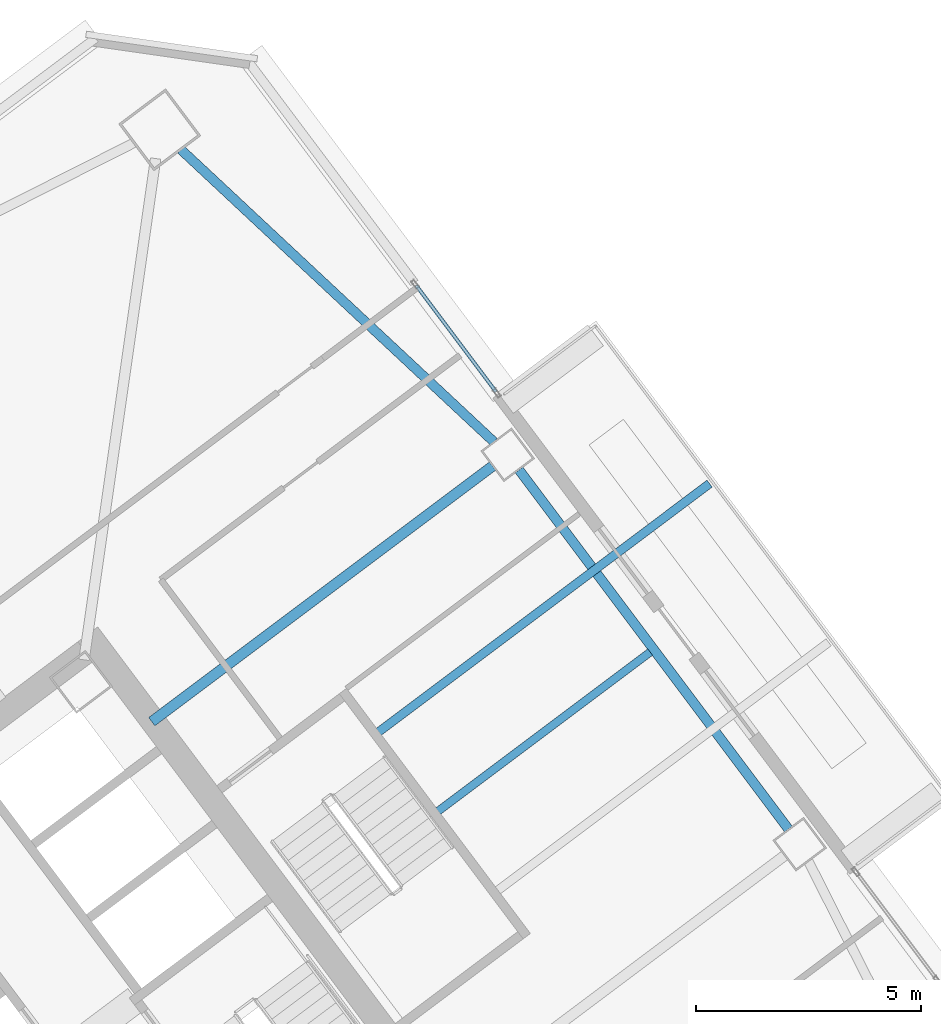
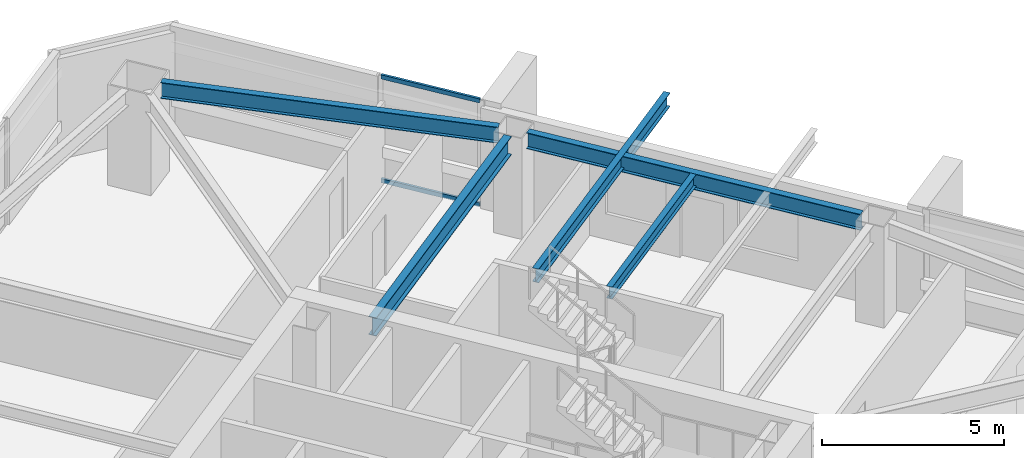
# One storey, part 30 of 44: 5 beams, 2 members, 1 element without a shape of its own.
"""IFC4 building model written with IfcOpenShell, lengths in metres."""

import ifcopenshell
import ifcopenshell.guid

model = None  # the IFC model being written
_history = None  # IfcOwnerHistory: only IFC2X3 demands one
_inside = {}  # id of a spatial element -> (the spatial element, [elements in it])
_under = {}  # id of a project, library or spatial element -> (it, [spatial elements below it])
_declared = {}  # id of a project -> (the project, [libraries it declares])
_typed = {}  # id of a type object -> (the type object, [elements of that type])
_made_of = {}  # id of a material, layer set ... -> (it, [elements and type objects made of it])


def new_model(schema):
    """Start an empty IFC model of exactly this schema.

    Asked for "IFC4X3", IfcOpenShell would pick the latest addendum, in which some entities
    have other attributes; the version numbers below select the first issue.
    IFC2X3 requires an IfcOwnerHistory on every rooted entity: one is made here for all.
    """
    global model, _history
    if schema == "IFC4X3":
        model = ifcopenshell.file(schema_version=(4, 3, 0, 0))
    else:
        model = ifcopenshell.file(schema=schema)
    _inside.clear()
    _under.clear()
    _declared.clear()
    _typed.clear()
    _made_of.clear()
    _history = None
    if model.schema == "IFC2X3":
        org = make("IfcOrganization", Name="unknown")
        user = make(
            "IfcPersonAndOrganization",
            ThePerson=make("IfcPerson", FamilyName="unknown"),
            TheOrganization=org,
        )
        app = make(
            "IfcApplication",
            ApplicationDeveloper=org,
            Version="unknown",
            ApplicationFullName="unknown",
            ApplicationIdentifier="unknown",
        )
        _history = make(
            "IfcOwnerHistory",
            OwningUser=user,
            OwningApplication=app,
            ChangeAction="ADDED",
            CreationDate=0,
        )
    return model


def make(cls, **values):
    """One entity of the class cls with the attributes given. An attribute that is None is left unset."""
    return model.create_entity(
        cls, **{name: value for name, value in values.items() if value is not None}
    )


def rooted(cls, **values):
    """An entity with a GlobalId (a new one), such as an element, a storey or a relation."""
    return make(cls, GlobalId=ifcopenshell.guid.new(), OwnerHistory=_history, **values)


def si_unit(unit_type, name, prefix=None):
    """IfcSIUnit, for example si_unit("LENGTHUNIT", "METRE", prefix="MILLI")."""
    return make("IfcSIUnit", UnitType=unit_type, Prefix=prefix, Name=name)


def assignment(units):
    """IfcUnitAssignment: the units of a project."""
    return None if units is None else make("IfcUnitAssignment", Units=units)


def point(xyz):
    """IfcCartesianPoint."""
    return None if xyz is None else make("IfcCartesianPoint", Coordinates=xyz)


def direction(xyz):
    """IfcDirection."""
    return None if xyz is None else make("IfcDirection", DirectionRatios=xyz)


def frame(location, z_axis=None, x_axis=None):
    """IfcAxis2Placement3D, a coordinate frame: its origin and axes. An axis left out is left unset."""
    return make(
        "IfcAxis2Placement3D",
        Location=point(location),
        Axis=direction(z_axis),
        RefDirection=direction(x_axis),
    )


def frame_2d(location, x_axis=None):
    """IfcAxis2Placement2D, a coordinate frame in the plane: its origin and x axis."""
    return make(
        "IfcAxis2Placement2D", Location=point(location), RefDirection=direction(x_axis)
    )


def origin():
    """The frame at (0, 0, 0) with its axes left unset."""
    return frame((0.0, 0.0, 0.0))


def origin_2d():
    """The frame at (0, 0) in the plane with its x axis left unset."""
    return frame_2d((0.0, 0.0))


def place(relative_to, where):
    """IfcLocalPlacement: puts the frame where relative to a parent placement (None: the world)."""
    return make(
        "IfcLocalPlacement", PlacementRelTo=relative_to, RelativePlacement=where
    )


def context(
    kind, dimensions, precision=None, world=None, true_north=None, identifier=None
):
    """IfcGeometricRepresentationContext, for example the 3D "Model" context."""
    return make(
        "IfcGeometricRepresentationContext",
        ContextIdentifier=identifier,
        ContextType=kind,
        CoordinateSpaceDimension=dimensions,
        Precision=precision,
        WorldCoordinateSystem=world,
        TrueNorth=true_north,
    )


def subcontext(parent, identifier, kind, view, scale=None):
    """IfcGeometricRepresentationSubContext, for example "Body" below "Model"."""
    return make(
        "IfcGeometricRepresentationSubContext",
        ContextIdentifier=identifier,
        ContextType=kind,
        ParentContext=parent,
        TargetScale=scale,
        TargetView=view,
    )


def project(units=None, contexts=None):
    """IfcProject with its units and contexts."""
    return rooted(
        "IfcProject",
        Name="project",
        RepresentationContexts=contexts,
        UnitsInContext=assignment(units),
    )


def spatial(cls, under=None, at=None, **own):
    """A site, building, storey or space (cls), placed at a placement, below another one or the project."""
    s = rooted(cls, ObjectPlacement=at, **own)
    if under is not None:
        _under.setdefault(under.id(), (under, []))[1].append(s)
    return s


def profile(cls, at=None, kind="AREA", **sizes):
    """A parametric profile (cls). Its sizes go by their IFC names, for example OverallWidth=200.0."""
    return make(cls, ProfileType=kind, Position=at, **sizes)


def hollow_rectangle(**sizes):
    """IfcRectangleHollowProfileDef."""
    return profile("IfcRectangleHollowProfileDef", **sizes)


def i_section(**sizes):
    """IfcIShapeProfileDef."""
    return profile("IfcIShapeProfileDef", **sizes)


def extrude(swept, where, along, depth):
    """IfcExtrudedAreaSolid: the profile swept, set in the frame where, extruded along a direction by depth."""
    return make(
        "IfcExtrudedAreaSolid",
        SweptArea=swept,
        Position=where,
        ExtrudedDirection=direction(along),
        Depth=depth,
    )


def shape(context_of_items, identifier, shape_type, items):
    """IfcShapeRepresentation: the items that make up one representation, for example the "Body"."""
    return make(
        "IfcShapeRepresentation",
        ContextOfItems=context_of_items,
        RepresentationIdentifier=identifier,
        RepresentationType=shape_type,
        Items=items,
    )


def material(Name=None, Category=None):
    """IfcMaterial."""
    return make("IfcMaterial", Name=Name, Category=Category)


def material_profile(
    of_material, cross_section, Name=None, Category=None, Priority=None
):
    """IfcMaterialProfile: a cross section and its material."""
    return make(
        "IfcMaterialProfile",
        Name=Name,
        Material=of_material,
        Profile=cross_section,
        Priority=Priority,
        Category=Category,
    )


def profile_set(profiles, Name=None, composite=None):
    """IfcMaterialProfileSet."""
    return make(
        "IfcMaterialProfileSet",
        Name=Name,
        MaterialProfiles=profiles,
        CompositeProfile=composite,
    )


def made_of(thing, what):
    """Note that an element or type object is made of a material, layer set ...; save() writes the relation."""
    if what is not None:
        _made_of.setdefault(what.id(), (what, []))[1].append(thing)
    return thing


def type_object(cls, material=None, **own):
    """A type object (cls), such as IfcWallType, which elements share."""
    return made_of(rooted(cls, **own), material)


def element(
    cls,
    number,
    at=None,
    inside=None,
    cuts=None,
    type_object=None,
    material=None,
    context=None,
    identifier="Body",
    shape_type=None,
    held_by="IfcProductDefinitionShape",
    body=None,
    shapes=None,
    **own,
):
    """One element of the class cls, such as IfcWall. Its Tag is "e" and its number.

    at: its placement. inside: the storey or other place that contains it. cuts: it is an
    opening in that element (IfcRelVoidsElement). A single representation is given by context,
    identifier, shape_type and body (its items); several are given by shapes. held_by: the class
    of the entity that holds the representations. save() writes the other relations.
    """
    e = rooted(cls, Tag="e%d" % number, ObjectPlacement=at, **own)
    if body is not None:
        shapes = [shape(context, identifier, shape_type, body)]
    if shapes is not None:
        e.Representation = make(held_by, Representations=shapes)
    if inside is not None:
        _inside.setdefault(inside.id(), (inside, []))[1].append(e)
    if cuts is not None:
        rooted(
            "IfcRelVoidsElement", RelatingBuildingElement=cuts, RelatedOpeningElement=e
        )
    if type_object is not None:
        _typed.setdefault(type_object.id(), (type_object, []))[1].append(e)
    return made_of(e, material)


def aggregate(whole, parts):
    """IfcRelAggregates: a whole, such as a stair, and the parts it consists of."""
    return rooted("IfcRelAggregates", RelatingObject=whole, RelatedObjects=parts)


def save(model, path):
    """Write the relations noted so far, then the file.

    IfcRelAggregates (storeys below a building ...), IfcRelContainedInSpatialStructure (elements
    in a storey), IfcRelDefinesByType, IfcRelAssociatesMaterial and IfcRelDeclares: one each for
    every whole, place, type object, material and project.
    """
    for whole, parts in _under.values():
        aggregate(whole, parts)
    for where, things in _inside.values():
        rooted(
            "IfcRelContainedInSpatialStructure",
            RelatedElements=things,
            RelatingStructure=where,
        )
    for kind, things in _typed.values():
        rooted("IfcRelDefinesByType", RelatedObjects=things, RelatingType=kind)
    for what, things in _made_of.values():
        rooted("IfcRelAssociatesMaterial", RelatedObjects=things, RelatingMaterial=what)
    for by, libraries in _declared.values():
        rooted("IfcRelDeclares", RelatingContext=by, RelatedDefinitions=libraries)
    model.write(path)


model = new_model("IFC4")

# Units and contexts
model_context = context("Model", 3, precision=1e-05, world=origin(), true_north=direction((0.0, 1.0)))
body_context = subcontext(model_context, "Body", "Model", "MODEL_VIEW")
ifc_project = project(units=[si_unit("LENGTHUNIT", "METRE"), si_unit("AREAUNIT", "SQUARE_METRE"), si_unit("VOLUMEUNIT", "CUBIC_METRE"), si_unit("PLANEANGLEUNIT", "RADIAN"), si_unit("MASSUNIT", "GRAM", prefix="KILO")], contexts=[model_context])

# Site, building, storey
site_placement = place(None, origin())
site = spatial("IfcSite", under=ifc_project, at=site_placement, CompositionType="ELEMENT")
building_placement = place(site_placement, origin())
building = spatial("IfcBuilding", under=site, at=building_placement, Name="Tashvorn Skyway Center", CompositionType="ELEMENT")
storey_placement = place(building_placement, frame((0.0, 0.0, 149.89990234375)))
storey = spatial("IfcBuildingStorey", under=building, at=storey_placement, Name="L40", CompositionType="ELEMENT", Elevation=149.89990234375)

# Beams
ifc_material_1 = material(Name="Steel ASTM A992 Grade 50", Category="steel")
ifc_material_profile_1 = material_profile(ifc_material_1, i_section(OverallWidth=0.22998046875, OverallDepth=0.616943359375, WebThickness=0.01318359375, FlangeThickness=0.022216796875, at=origin_2d()), Name="W24X94")
ifc_profile_set_1 = profile_set([ifc_material_profile_1], Name="Steel ASTM A992 Grade 50")
beam_type_1 = type_object("IfcBeamType", Name="BM-BEAM-W24X94", PredefinedType="BEAM", material=ifc_profile_set_1)
beam_1_placement = place(storey_placement, frame((124.5439453125, 46.657958984375, 3.0615234375), z_axis=(-0.800006200354, -0.599991732772, 0.0), x_axis=(0.599991732772, -0.800006200354, 0.0)))
element("IfcBeam", 1, at=beam_1_placement, inside=storey, type_object=beam_type_1, Name="Tower 2 L40 Primary Floor Girder FC-E2", PredefinedType="BEAM", context=body_context, shape_type="SweptSolid", body=[
    extrude(i_section(OverallWidth=0.22998046875, OverallDepth=0.616943359375, WebThickness=0.01318359375, FlangeThickness=0.022216796875, at=origin_2d()), origin(), (0.0, 0.0, 1.0), 9.449951171875),
])
ifc_material_profile_2 = material_profile(ifc_material_1, i_section(OverallWidth=0.177978515625, OverallDepth=0.406005859375, WebThickness=0.0078125, FlangeThickness=0.0126953125, at=origin_2d()), Name="W16X40")
ifc_profile_set_2 = profile_set([ifc_material_profile_2], Name="Steel ASTM A992 Grade 50")
beam_type_2 = type_object("IfcBeamType", Name="BM-JOIST-W16X40", PredefinedType="JOIST", material=ifc_profile_set_2)
beam_2_placement = place(storey_placement, frame((123.3359375, 39.001953125, 3.1669921875), z_axis=(0.8, 0.6, 0.0), x_axis=(-0.6, 0.8, 0.0)))
element("IfcBeam", 2, at=beam_2_placement, inside=storey, type_object=beam_type_2, Name="Tower 2 L40 Secondary Composite Joist JE", PredefinedType="JOIST", context=body_context, shape_type="SweptSolid", body=[
    extrude(i_section(OverallWidth=0.177978515625, OverallDepth=0.406005859375, WebThickness=0.0078125, FlangeThickness=0.0126953125, at=origin_2d()), origin(), (0.0, 0.0, 1.0), 5.882568359375),
])
ifc_material_profile_3 = material_profile(ifc_material_1, i_section(OverallWidth=0.19091796875, OverallDepth=0.4599609375, WebThickness=0.010009765625, FlangeThickness=0.01611328125, at=origin_2d()), Name="W18X55")
ifc_profile_set_3 = profile_set([ifc_material_profile_3], Name="Steel ASTM A992 Grade 50")
beam_type_3 = type_object("IfcBeamType", Name="BM-JOIST-W18X55", PredefinedType="JOIST", material=ifc_profile_set_3)
beam_3_placement = place(storey_placement, frame((122.01611328125, 40.761962890625, 3.14013671875), z_axis=(0.799996808618, 0.600004255152, 0.0), x_axis=(-0.600004255152, 0.799996808618, 0.0)))
element("IfcBeam", 3, at=beam_3_placement, inside=storey, type_object=beam_type_3, Name="Tower 2 L41 Terrace Cantilever Outlooker 2", PredefinedType="JOIST", context=body_context, shape_type="SweptSolid", body=[
    extrude(i_section(OverallWidth=0.19091796875, OverallDepth=0.4599609375, WebThickness=0.010009765625, FlangeThickness=0.01611328125, at=origin_2d()), origin(), (0.0, 0.0, 1.0), 9.179931640625),
])
ifc_material_profile_4 = material_profile(ifc_material_1, i_section(OverallWidth=0.2109375, OverallDepth=0.5390625, WebThickness=0.01171875, FlangeThickness=0.018798828125, at=origin_2d()), Name="W21X73")
ifc_profile_set_4 = profile_set([ifc_material_profile_4], Name="Steel ASTM A992 Grade 50")
beam_type_4 = type_object("IfcBeamType", Name="BM-SPANDREL-W21X73", PredefinedType="SPANDREL", material=ifc_profile_set_4)
beam_4_placement = place(storey_placement, frame((131.10791015625, 38.60595703125, 3.1005859375), z_axis=(-0.599988234018, 0.800008824351, 0.0), x_axis=(-0.800008824351, -0.599988234018, 0.0)))
element("IfcBeam", 4, at=beam_4_placement, inside=storey, type_object=beam_type_4, Name="Tower 2 L40 Spandrel Beam 05", PredefinedType="SPANDREL", context=body_context, shape_type="SweptSolid", body=[
    extrude(i_section(OverallWidth=0.2109375, OverallDepth=0.5390625, WebThickness=0.01171875, FlangeThickness=0.018798828125, at=origin_2d()), origin(), (0.0, 0.0, 1.0), 9.9599609375),
])
beam_5_placement = place(storey_placement, frame((124.572998046875, 47.19677734375, 3.1005859375), z_axis=(-0.730843250868, 0.682545341102, 0.0), x_axis=(-0.682545341102, -0.730843250868, 0.0)))
element("IfcBeam", 5, at=beam_5_placement, inside=storey, type_object=beam_type_4, Name="Tower 2 L40 Spandrel Beam 06", PredefinedType="SPANDREL", context=body_context, shape_type="SweptSolid", body=[
    extrude(i_section(OverallWidth=0.2109375, OverallDepth=0.5390625, WebThickness=0.01171875, FlangeThickness=0.018798828125, at=origin_2d()), origin(), (0.0, 0.0, 1.0), 9.498046875),
])

# Curtain wall, members
ifc_material_2 = material(Name="Thermally broken bronze-anodized aluminium 6063-T6", Category="aluminium")
curtain_wall_type = type_object("IfcCurtainWallType", Name="CW-CW-Z3", PredefinedType="NOTDEFINED", material=ifc_material_2)
curtain_wall_placement = place(storey_placement, origin())
curtain_wall = element("IfcCurtainWall", 6, at=curtain_wall_placement, inside=storey, type_object=curtain_wall_type, Name="Tower 2 L40 East Curtain Wall L Glazing Group 1", PredefinedType="NOTDEFINED")
ifc_material_profile_5 = material_profile(ifc_material_2, hollow_rectangle(XDim=0.074951171875, YDim=0.139892578125, WallThickness=0.004150390625, at=origin_2d()), Name="ALU-TRAN-75x140")
ifc_profile_set_5 = profile_set([ifc_material_profile_5], Name="Thermally broken bronze-anodized aluminium 6063-T6")
member_type = type_object("IfcMemberType", Name="CWT-CW-Z3", PredefinedType="USERDEFINED", material=ifc_profile_set_5)
member_1_placement = place(storey_placement, frame((122.85302734375, 50.66259765625, 0.03759765625), z_axis=(0.6, -0.8, 0.0), x_axis=(0.8, 0.6, 0.0)))
member_1 = element("IfcMember", 7, at=member_1_placement, type_object=member_type, Name="CW-Z3 transom 1.1", ObjectType="TRANSOM", PredefinedType="USERDEFINED", context=body_context, shape_type="SweptSolid", body=[
    extrude(hollow_rectangle(XDim=0.074951171875, YDim=0.139892578125, WallThickness=0.004150390625, at=origin_2d()), origin(), (0.0, 0.0, 1.0), 2.943115234375),
])
member_2_placement = place(storey_placement, frame((122.85302734375, 50.66259765625, 3.5126953125), z_axis=(0.6, -0.8, 0.0), x_axis=(0.8, 0.6, 0.0)))
member_2 = element("IfcMember", 8, at=member_2_placement, type_object=member_type, Name="CW-Z3 transom 1.2", ObjectType="TRANSOM", PredefinedType="USERDEFINED", context=body_context, shape_type="SweptSolid", body=[
    extrude(hollow_rectangle(XDim=0.074951171875, YDim=0.139892578125, WallThickness=0.004150390625, at=origin_2d()), origin(), (0.0, 0.0, 1.0), 2.943115234375),
])
aggregate(curtain_wall, [member_1, member_2])

save(model, "model.ifc")
